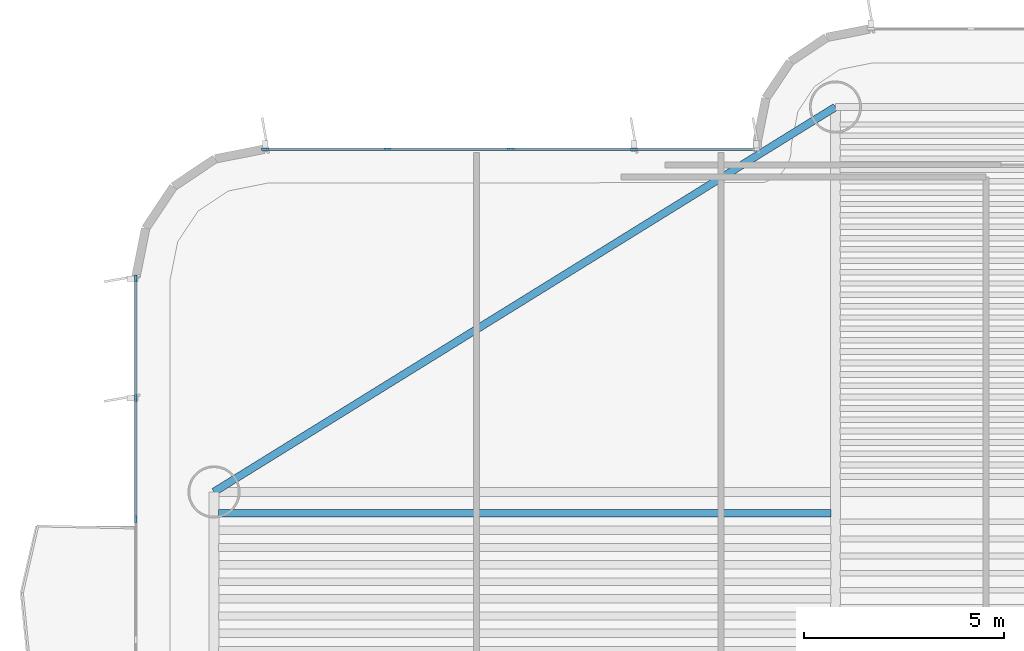
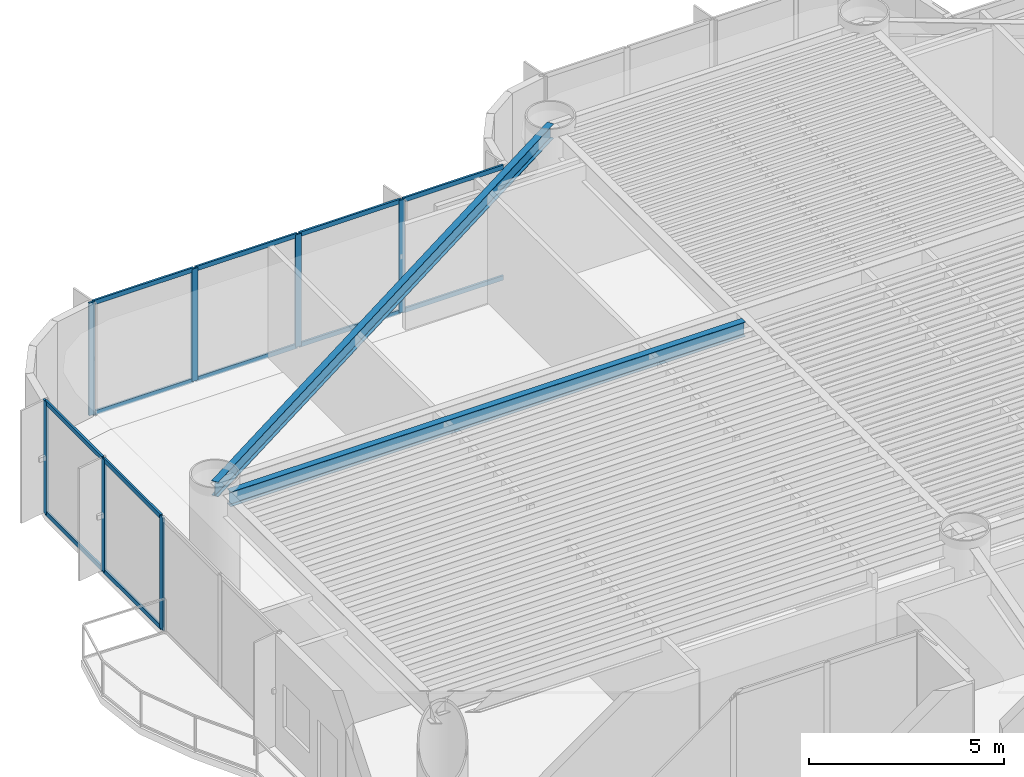
# One storey, part 5 of 16: 19 members, 2 beams, 2 elements without a shape of their own.
"""IFC4 building model written with IfcOpenShell, lengths in metres."""

from ifc_helpers import new_model, si_unit, direction, frame, origin, origin_2d, place, context, subcontext, project, spatial, rectangle, i_section, extrude, source, transform, mapped, material, layer, layer_set, material_profile, profile_set, type_object, element, aggregate, save


model = new_model("IFC4")

# Units and contexts
model_context = context("Model", 3, precision=1e-05, world=origin(), true_north=direction((0.0, 1.0)))
body_context = subcontext(model_context, "Body", "Model", "MODEL_VIEW")
ifc_project = project(units=[si_unit("LENGTHUNIT", "METRE"), si_unit("AREAUNIT", "SQUARE_METRE"), si_unit("VOLUMEUNIT", "CUBIC_METRE"), si_unit("PLANEANGLEUNIT", "RADIAN"), si_unit("MASSUNIT", "GRAM", prefix="KILO")], contexts=[model_context])

# Site, building, storey
site_placement = place(None, origin())
site = spatial("IfcSite", under=ifc_project, at=site_placement, CompositionType="ELEMENT")
building_placement = place(site_placement, origin())
building = spatial("IfcBuilding", under=site, at=building_placement, Name="Brelvock Crest Care Tower", CompositionType="ELEMENT")
storey_placement = place(building_placement, frame((0.0, 0.0, 112.5)))
storey = spatial("IfcBuildingStorey", under=building, at=storey_placement, Name="L28", CompositionType="ELEMENT", Elevation=112.5)

# Beams
ifc_material_1 = material(Name="Steel Grade 350", Category="steel")
ifc_material_profile_1 = material_profile(ifc_material_1, i_section(OverallWidth=0.19091796875, OverallDepth=0.4599609375, WebThickness=0.010009765625, FlangeThickness=0.01611328125, FilletRadius=0.011474609375, at=origin_2d()), Name="460UB82.1")
ifc_profile_set_1 = profile_set([ifc_material_profile_1], Name="Steel Grade 350")
beam_type_1 = type_object("IfcBeamType", Name="BM-G3", PredefinedType="BEAM", material=ifc_profile_set_1)
shared_shape_1 = source(origin(), body_context, "Body", "SweptSolid", [
    extrude(i_section(OverallWidth=0.19091796875, OverallDepth=0.4599609375, WebThickness=0.010009765625, FlangeThickness=0.01611328125, FilletRadius=0.011474609375, at=origin_2d()), origin(), (0.0, 0.0, 1.0), 15.27001953125),
])
beam_1_placement = place(storey_placement, frame((15.965087890625, 38.317626953125, 3.300048828125), z_axis=(1.0, 0.0, 0.0), x_axis=(0.0, 1.0, 0.0)))
element("IfcBeam", 1, at=beam_1_placement, inside=storey, type_object=beam_type_1, Name="BM-JW-L28-26", PredefinedType="BEAM", context=body_context, shape_type="MappedRepresentation", body=[
    mapped(shared_shape_1, transform((0.0, 0.0, 0.0), x_axis=(1.0, 0.0, 0.0), y_axis=(0.0, 1.0, 0.0), z_axis=(0.0, 0.0, 1.0), scale=1.0)),
])
ifc_material_profile_2 = material_profile(ifc_material_1, i_section(OverallWidth=0.19091796875, OverallDepth=0.4599609375, WebThickness=0.010009765625, FlangeThickness=0.01611328125, FilletRadius=0.011474609375, at=origin_2d()), Name="460UB82.1")
ifc_profile_set_2 = profile_set([ifc_material_profile_2], Name="Steel Grade 350")
beam_type_2 = type_object("IfcBeamType", Name="BM-SP2", PredefinedType="SPANDREL", material=ifc_profile_set_2)
shared_shape_2 = source(origin(), body_context, "Body", "SweptSolid", [
    extrude(i_section(OverallWidth=0.19091796875, OverallDepth=0.4599609375, WebThickness=0.010009765625, FlangeThickness=0.01611328125, FilletRadius=0.011474609375, at=origin_2d()), origin(), (0.0, 0.0, 1.0), 18.23193359375),
])
beam_2_placement = place(storey_placement, frame((15.85009765625, 38.85009765625, 3.300048828125), z_axis=(0.85015183248, 0.526537616635, 0.0), x_axis=(-0.526537616635, 0.85015183248, 0.0)))
element("IfcBeam", 2, at=beam_2_placement, inside=storey, type_object=beam_type_2, Name="BM-TWR-L28-06", PredefinedType="SPANDREL", context=body_context, shape_type="MappedRepresentation", body=[
    mapped(shared_shape_2, transform((0.0, 0.0, 0.0), x_axis=(1.0, 0.0, 0.0), y_axis=(0.0, 1.0, 0.0), z_axis=(0.0, 0.0, 1.0), scale=1.0)),
])

# Curtain wall, members
ifc_material_2 = material(Name="Dark Glass Double Glazed Low-E", Category="glass")
ifc_layer = layer(ifc_material_2, 0.2099609375, Name="CWS-3")
ifc_layer_set = layer_set([ifc_layer], Name="Dark Glass Double Glazed Low-E")
curtain_wall_type = type_object("IfcCurtainWallType", Name="CWS-3", PredefinedType="NOTDEFINED", material=ifc_layer_set)
curtain_wall_1_placement = place(storey_placement, origin())
curtain_wall_1 = element("IfcCurtainWall", 3, at=curtain_wall_1_placement, inside=storey, type_object=curtain_wall_type, Name="L28 Curtain Wall E17B", PredefinedType="NOTDEFINED")
ifc_material_3 = material(Name="Aluminium 6063-T6", Category="aluminium")
ifc_material_profile_3 = material_profile(ifc_material_3, rectangle(XDim=0.06005859375, YDim=0.179931640625, at=origin_2d()), Name="ALU60x180")
ifc_profile_set_3 = profile_set([ifc_material_profile_3], Name="Aluminium 6063-T6")
member_type_1 = type_object("IfcMemberType", Name="CWM-2", PredefinedType="MULLION", material=ifc_profile_set_3)
shared_shape_3 = source(origin(), body_context, "Body", "SweptSolid", [
    extrude(rectangle(XDim=0.06005859375, YDim=0.179931640625, at=origin_2d()), origin(), (0.0, 0.0, 1.0), 3.530029296875),
])
member_1_placement = place(storey_placement, frame((13.89990234375, 38.175048828125, 0.0), z_axis=(0.0, 0.0, 1.0), x_axis=(-1.0, 0.0, 0.0)))
member_1 = element("IfcMember", 4, at=member_1_placement, type_object=member_type_1, Name="CW-3 mullion 3", PredefinedType="MULLION", context=body_context, shape_type="MappedRepresentation", body=[
    mapped(shared_shape_3, transform((0.0, 0.0, 0.0), x_axis=(1.0, 0.0, 0.0), y_axis=(0.0, 1.0, 0.0), z_axis=(0.0, 0.0, 1.0), scale=1.0)),
])
member_2_placement = place(storey_placement, frame((13.89990234375, 41.1875, 0.0), z_axis=(0.0, 0.0, 1.0), x_axis=(-1.0, 0.0, 0.0)))
member_2 = element("IfcMember", 5, at=member_2_placement, type_object=member_type_1, Name="CW-3 mullion 4", PredefinedType="MULLION", context=body_context, shape_type="MappedRepresentation", body=[
    mapped(shared_shape_3, transform((0.0, 0.0, 0.0), x_axis=(1.0, 0.0, 0.0), y_axis=(0.0, 1.0, 0.0), z_axis=(0.0, 0.0, 1.0), scale=1.0)),
])
member_3_placement = place(storey_placement, frame((13.89990234375, 44.169921875, 0.0), z_axis=(0.0, 0.0, 1.0), x_axis=(-1.0, 0.0, 0.0)))
member_3 = element("IfcMember", 6, at=member_3_placement, type_object=member_type_1, Name="CW-3 mullion 5", PredefinedType="MULLION", context=body_context, shape_type="MappedRepresentation", body=[
    mapped(shared_shape_3, transform((0.0, 0.0, 0.0), x_axis=(1.0, 0.0, 0.0), y_axis=(0.0, 1.0, 0.0), z_axis=(0.0, 0.0, 1.0), scale=1.0)),
])

curtain_wall_2_placement = place(storey_placement, origin())
curtain_wall_2 = element("IfcCurtainWall", 7, at=curtain_wall_2_placement, inside=storey, type_object=curtain_wall_type, Name="L28 Curtain Wall E22", PredefinedType="NOTDEFINED")
member_4_placement = place(storey_placement, frame((17.1298828125, 47.39990234375, 0.0), z_axis=(0.0, 0.0, 1.0), x_axis=(0.0, 1.0, 0.0)))
member_4 = element("IfcMember", 8, at=member_4_placement, type_object=member_type_1, Name="CW-3 mullion 1", PredefinedType="MULLION", context=body_context, shape_type="MappedRepresentation", body=[
    mapped(shared_shape_3, transform((0.0, 0.0, 0.0), x_axis=(1.0, 0.0, 0.0), y_axis=(0.0, 1.0, 0.0), z_axis=(0.0, 0.0, 1.0), scale=1.0)),
])
member_5_placement = place(storey_placement, frame((20.175048828125, 47.39990234375, 0.0), z_axis=(0.0, 0.0, 1.0), x_axis=(0.0, 1.0, 0.0)))
member_5 = element("IfcMember", 9, at=member_5_placement, type_object=member_type_1, Name="CW-3 mullion 2", PredefinedType="MULLION", context=body_context, shape_type="MappedRepresentation", body=[
    mapped(shared_shape_3, transform((0.0, 0.0, 0.0), x_axis=(1.0, 0.0, 0.0), y_axis=(0.0, 1.0, 0.0), z_axis=(0.0, 0.0, 1.0), scale=1.0)),
])
member_6_placement = place(storey_placement, frame((23.25, 47.39990234375, 0.0), z_axis=(0.0, 0.0, 1.0), x_axis=(0.0, 1.0, 0.0)))
member_6 = element("IfcMember", 10, at=member_6_placement, type_object=member_type_1, Name="CW-3 mullion 3", PredefinedType="MULLION", context=body_context, shape_type="MappedRepresentation", body=[
    mapped(shared_shape_3, transform((0.0, 0.0, 0.0), x_axis=(1.0, 0.0, 0.0), y_axis=(0.0, 1.0, 0.0), z_axis=(0.0, 0.0, 1.0), scale=1.0)),
])
member_7_placement = place(storey_placement, frame((26.324951171875, 47.39990234375, 0.0), z_axis=(0.0, 0.0, 1.0), x_axis=(0.0, 1.0, 0.0)))
member_7 = element("IfcMember", 11, at=member_7_placement, type_object=member_type_1, Name="CW-3 mullion 4", PredefinedType="MULLION", context=body_context, shape_type="MappedRepresentation", body=[
    mapped(shared_shape_3, transform((0.0, 0.0, 0.0), x_axis=(1.0, 0.0, 0.0), y_axis=(0.0, 1.0, 0.0), z_axis=(0.0, 0.0, 1.0), scale=1.0)),
])

# Member
ifc_material_profile_4 = material_profile(ifc_material_3, rectangle(XDim=0.06005859375, YDim=0.139892578125, at=origin_2d()), Name="ALU60x140")
ifc_profile_set_4 = profile_set([ifc_material_profile_4], Name="Aluminium 6063-T6")
member_type_2 = type_object("IfcMemberType", Name="CWT-2", PredefinedType="USERDEFINED", material=ifc_profile_set_4)
shared_shape_4 = source(origin(), body_context, "Body", "SweptSolid", [
    extrude(rectangle(XDim=0.06005859375, YDim=0.139892578125, at=origin_2d()), origin(), (0.0, 0.0, 1.0), 2.952392578125),
])
member_8_placement = place(storey_placement, frame((13.89990234375, 38.205078125, 0.030029296875), z_axis=(0.0, 1.0, 0.0), x_axis=(-1.0, 0.0, 0.0)))
member_8 = element("IfcMember", 12, at=member_8_placement, type_object=member_type_2, Name="CW-3 transom 3.1", ObjectType="TRANSOM", PredefinedType="USERDEFINED", context=body_context, shape_type="MappedRepresentation", body=[
    mapped(shared_shape_4, transform((0.0, 0.0, 0.0), x_axis=(1.0, 0.0, 0.0), y_axis=(0.0, 1.0, 0.0), z_axis=(0.0, 0.0, 1.0), scale=1.0)),
])

member_9_placement = place(storey_placement, frame((13.89990234375, 38.205078125, 3.5), z_axis=(0.0, 1.0, 0.0), x_axis=(-1.0, 0.0, 0.0)))
member_9 = element("IfcMember", 13, at=member_9_placement, type_object=member_type_2, Name="CW-3 transom 3.2", ObjectType="TRANSOM", PredefinedType="USERDEFINED", context=body_context, shape_type="MappedRepresentation", body=[
    mapped(shared_shape_4, transform((0.0, 0.0, 0.0), x_axis=(1.0, 0.0, 0.0), y_axis=(0.0, 1.0, 0.0), z_axis=(0.0, 0.0, 1.0), scale=1.0)),
])

shared_shape_5 = source(origin(), body_context, "Body", "SweptSolid", [
    extrude(rectangle(XDim=0.06005859375, YDim=0.139892578125, at=origin_2d()), origin(), (0.0, 0.0, 1.0), 2.92236328125),
])
member_10_placement = place(storey_placement, frame((13.89990234375, 41.217529296875, 0.030029296875), z_axis=(0.0, 1.0, 0.0), x_axis=(-1.0, 0.0, 0.0)))
member_10 = element("IfcMember", 14, at=member_10_placement, type_object=member_type_2, Name="CW-3 transom 4.1", ObjectType="TRANSOM", PredefinedType="USERDEFINED", context=body_context, shape_type="MappedRepresentation", body=[
    mapped(shared_shape_5, transform((0.0, 0.0, 0.0), x_axis=(1.0, 0.0, 0.0), y_axis=(0.0, 1.0, 0.0), z_axis=(0.0, 0.0, 1.0), scale=1.0)),
])

member_11_placement = place(storey_placement, frame((13.89990234375, 41.217529296875, 3.5), z_axis=(0.0, 1.0, 0.0), x_axis=(-1.0, 0.0, 0.0)))
member_11 = element("IfcMember", 15, at=member_11_placement, type_object=member_type_2, Name="CW-3 transom 4.2", ObjectType="TRANSOM", PredefinedType="USERDEFINED", context=body_context, shape_type="MappedRepresentation", body=[
    mapped(shared_shape_5, transform((0.0, 0.0, 0.0), x_axis=(1.0, 0.0, 0.0), y_axis=(0.0, 1.0, 0.0), z_axis=(0.0, 0.0, 1.0), scale=1.0)),
])

aggregate(curtain_wall_1, [member_1, member_2, member_3, member_8, member_9, member_10, member_11])

shared_shape_6 = source(origin(), body_context, "Body", "SweptSolid", [
    extrude(rectangle(XDim=0.06005859375, YDim=0.139892578125, at=origin_2d()), origin(), (0.0, 0.0, 1.0), 2.985107421875),
])
member_12_placement = place(storey_placement, frame((17.159912109375, 47.39990234375, 0.030029296875), z_axis=(1.0, 0.0, 0.0), x_axis=(0.0, 1.0, 0.0)))
member_12 = element("IfcMember", 16, at=member_12_placement, type_object=member_type_2, Name="CW-3 transom 1.1", ObjectType="TRANSOM", PredefinedType="USERDEFINED", context=body_context, shape_type="MappedRepresentation", body=[
    mapped(shared_shape_6, transform((0.0, 0.0, 0.0), x_axis=(1.0, 0.0, 0.0), y_axis=(0.0, 1.0, 0.0), z_axis=(0.0, 0.0, 1.0), scale=1.0)),
])

member_13_placement = place(storey_placement, frame((17.159912109375, 47.39990234375, 3.5), z_axis=(1.0, 0.0, 0.0), x_axis=(0.0, 1.0, 0.0)))
member_13 = element("IfcMember", 17, at=member_13_placement, type_object=member_type_2, Name="CW-3 transom 1.2", ObjectType="TRANSOM", PredefinedType="USERDEFINED", context=body_context, shape_type="MappedRepresentation", body=[
    mapped(shared_shape_6, transform((0.0, 0.0, 0.0), x_axis=(1.0, 0.0, 0.0), y_axis=(0.0, 1.0, 0.0), z_axis=(0.0, 0.0, 1.0), scale=1.0)),
])

member_14_placement = place(storey_placement, frame((26.35498046875, 47.39990234375, 0.030029296875), z_axis=(1.0, 0.0, 0.0), x_axis=(0.0, 1.0, 0.0)))
member_14 = element("IfcMember", 18, at=member_14_placement, type_object=member_type_2, Name="CW-3 transom 4.1", ObjectType="TRANSOM", PredefinedType="USERDEFINED", context=body_context, shape_type="MappedRepresentation", body=[
    mapped(shared_shape_6, transform((0.0, 0.0, 0.0), x_axis=(1.0, 0.0, 0.0), y_axis=(0.0, 1.0, 0.0), z_axis=(0.0, 0.0, 1.0), scale=1.0)),
])

member_15_placement = place(storey_placement, frame((26.35498046875, 47.39990234375, 3.5), z_axis=(1.0, 0.0, 0.0), x_axis=(0.0, 1.0, 0.0)))
member_15 = element("IfcMember", 19, at=member_15_placement, type_object=member_type_2, Name="CW-3 transom 4.2", ObjectType="TRANSOM", PredefinedType="USERDEFINED", context=body_context, shape_type="MappedRepresentation", body=[
    mapped(shared_shape_6, transform((0.0, 0.0, 0.0), x_axis=(1.0, 0.0, 0.0), y_axis=(0.0, 1.0, 0.0), z_axis=(0.0, 0.0, 1.0), scale=1.0)),
])

shared_shape_7 = source(origin(), body_context, "Body", "SweptSolid", [
    extrude(rectangle(XDim=0.06005859375, YDim=0.139892578125, at=origin_2d()), origin(), (0.0, 0.0, 1.0), 3.014892578125),
])
member_16_placement = place(storey_placement, frame((20.205078125, 47.39990234375, 0.030029296875), z_axis=(1.0, 0.0, 0.0), x_axis=(0.0, 1.0, 0.0)))
member_16 = element("IfcMember", 20, at=member_16_placement, type_object=member_type_2, Name="CW-3 transom 2.1", ObjectType="TRANSOM", PredefinedType="USERDEFINED", context=body_context, shape_type="MappedRepresentation", body=[
    mapped(shared_shape_7, transform((0.0, 0.0, 0.0), x_axis=(1.0, 0.0, 0.0), y_axis=(0.0, 1.0, 0.0), z_axis=(0.0, 0.0, 1.0), scale=1.0)),
])

member_17_placement = place(storey_placement, frame((20.205078125, 47.39990234375, 3.5), z_axis=(1.0, 0.0, 0.0), x_axis=(0.0, 1.0, 0.0)))
member_17 = element("IfcMember", 21, at=member_17_placement, type_object=member_type_2, Name="CW-3 transom 2.2", ObjectType="TRANSOM", PredefinedType="USERDEFINED", context=body_context, shape_type="MappedRepresentation", body=[
    mapped(shared_shape_7, transform((0.0, 0.0, 0.0), x_axis=(1.0, 0.0, 0.0), y_axis=(0.0, 1.0, 0.0), z_axis=(0.0, 0.0, 1.0), scale=1.0)),
])

member_18_placement = place(storey_placement, frame((23.280029296875, 47.39990234375, 0.030029296875), z_axis=(1.0, 0.0, 0.0), x_axis=(0.0, 1.0, 0.0)))
member_18 = element("IfcMember", 22, at=member_18_placement, type_object=member_type_2, Name="CW-3 transom 3.1", ObjectType="TRANSOM", PredefinedType="USERDEFINED", context=body_context, shape_type="MappedRepresentation", body=[
    mapped(shared_shape_7, transform((0.0, 0.0, 0.0), x_axis=(1.0, 0.0, 0.0), y_axis=(0.0, 1.0, 0.0), z_axis=(0.0, 0.0, 1.0), scale=1.0)),
])

member_19_placement = place(storey_placement, frame((23.280029296875, 47.39990234375, 3.5), z_axis=(1.0, 0.0, 0.0), x_axis=(0.0, 1.0, 0.0)))
member_19 = element("IfcMember", 23, at=member_19_placement, type_object=member_type_2, Name="CW-3 transom 3.2", ObjectType="TRANSOM", PredefinedType="USERDEFINED", context=body_context, shape_type="MappedRepresentation", body=[
    mapped(shared_shape_7, transform((0.0, 0.0, 0.0), x_axis=(1.0, 0.0, 0.0), y_axis=(0.0, 1.0, 0.0), z_axis=(0.0, 0.0, 1.0), scale=1.0)),
])

aggregate(curtain_wall_2, [member_4, member_5, member_6, member_7, member_12, member_13, member_16, member_17, member_18, member_19, member_14, member_15])

save(model, "model.ifc")
